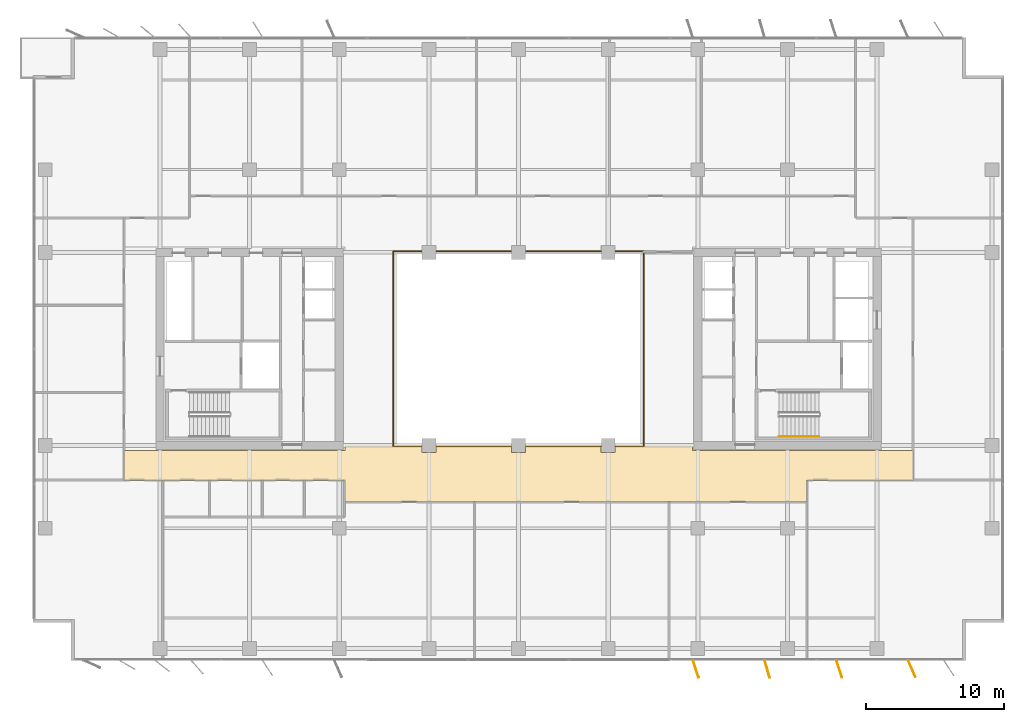
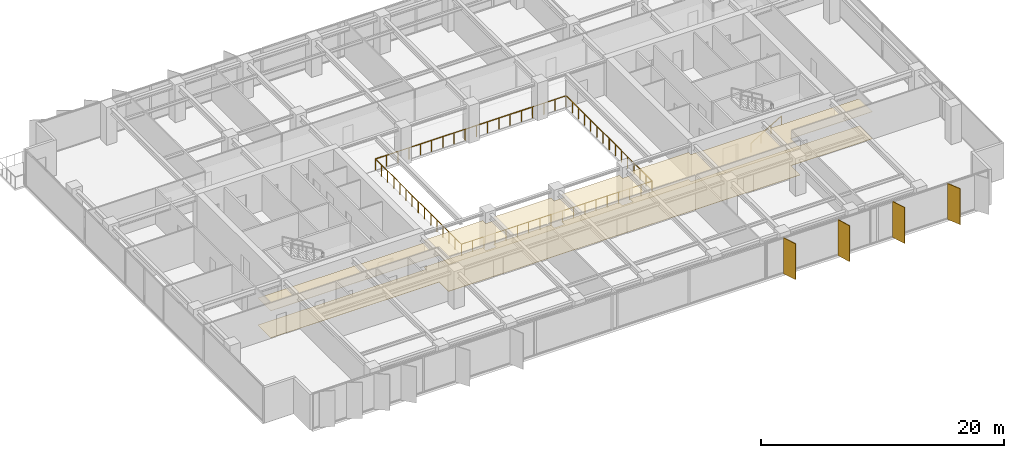
# One storey, part 20 of 22: 4 shading devices, 3 railings, 2 coverings.
"""IFC4 building model written with IfcOpenShell, lengths in metres."""

from ifc_helpers import new_model, si_unit, direction, frame, origin, origin_2d, place, context, subcontext, project, spatial, polyline, rectangle, circle, outline, extrude, material, layer, layer_set, type_object, element, save


model = new_model("IFC4")

# Units and contexts
model_context = context("Model", 3, precision=1e-05, world=origin(), true_north=direction((0.0, 1.0)))
body_context = subcontext(model_context, "Body", "Model", "MODEL_VIEW")
ifc_project = project(units=[si_unit("LENGTHUNIT", "METRE"), si_unit("AREAUNIT", "SQUARE_METRE"), si_unit("VOLUMEUNIT", "CUBIC_METRE"), si_unit("PLANEANGLEUNIT", "RADIAN"), si_unit("MASSUNIT", "GRAM", prefix="KILO")], contexts=[model_context])

# Site, building, storey
site_placement = place(None, origin())
site = spatial("IfcSite", under=ifc_project, at=site_placement, CompositionType="ELEMENT")
building_placement = place(site_placement, origin())
building = spatial("IfcBuilding", under=site, at=building_placement, Name="Putna Gate Headquarters", CompositionType="ELEMENT")
storey_placement = place(building_placement, frame((0.0, 0.0, 155.60009765625)))
storey = spatial("IfcBuildingStorey", under=building, at=storey_placement, Name="L38", CompositionType="ELEMENT", Elevation=155.60009765625)

# Coverings
ifc_material_1 = material(Name="Perforated mineral-fibre acoustic ceiling tile")
ifc_layer_1 = layer(ifc_material_1, 0.0400390625)
ifc_layer_set_1 = layer_set([ifc_layer_1], Name="Perforated mineral-fibre acoustic ceiling tile")
covering_type_1 = type_object("IfcCoveringType", Name="COV-ACOUSTIC-CEILING", PredefinedType="CEILING", material=ifc_layer_set_1)
covering_1_placement = place(storey_placement, frame((0.0, 0.0, 2.7099609375)))
element("IfcCovering", 1, at=covering_1_placement, inside=storey, type_object=covering_type_1, Name="L38 Acoustic Ceiling Covering 2", PredefinedType="CEILING", context=body_context, shape_type="SweptSolid", body=[
    extrude(outline(polyline([(26.39990234375, 16.47998046875), (26.39990234375, 14.93994140625), (59.867919921875, 14.93994140625), (59.867919921875, 16.47998046875), (67.6201171875, 16.47998046875), (67.6201171875, 18.6201171875), (51.60009765625, 18.6201171875), (51.60009765625, 18.97998046875), (46.008056640625, 18.97998046875), (46.008056640625, 18.491943359375), (44.991943359375, 18.491943359375), (44.991943359375, 18.97998046875), (39.508056640625, 18.97998046875), (39.508056640625, 18.491943359375), (38.491943359375, 18.491943359375), (38.491943359375, 18.97998046875), (33.008056640625, 18.97998046875), (33.008056640625, 18.491943359375), (31.991943359375, 18.491943359375), (31.991943359375, 18.97998046875), (26.39990234375, 18.97998046875), (26.39990234375, 18.6201171875), (10.3798828125, 18.6201171875), (10.3798828125, 16.47998046875), (26.39990234375, 16.47998046875)])), origin(), (0.0, 0.0, 1.0), 0.0400390625),
])
ifc_material_2 = material(Name="Calcium-sulphate raised access floor finish")
ifc_layer_2 = layer(ifc_material_2, 0.030029296875)
ifc_layer_set_2 = layer_set([ifc_layer_2], Name="Calcium-sulphate raised access floor finish")
covering_type_2 = type_object("IfcCoveringType", Name="COV-RAISED-FLOORING", PredefinedType="FLOORING", material=ifc_layer_set_2)
covering_2_placement = place(storey_placement, origin())
element("IfcCovering", 2, at=covering_2_placement, inside=storey, type_object=covering_type_2, Name="L38 Raised Access Floor Covering 2", PredefinedType="FLOORING", context=body_context, shape_type="SweptSolid", body=[
    extrude(outline(polyline([(26.39990234375, 16.47998046875), (26.39990234375, 14.93994140625), (59.867919921875, 14.93994140625), (59.867919921875, 16.47998046875), (67.6201171875, 16.47998046875), (67.6201171875, 18.6201171875), (51.60009765625, 18.6201171875), (51.60009765625, 18.97998046875), (46.008056640625, 18.97998046875), (46.008056640625, 18.491943359375), (44.991943359375, 18.491943359375), (44.991943359375, 18.97998046875), (39.508056640625, 18.97998046875), (39.508056640625, 18.491943359375), (38.491943359375, 18.491943359375), (38.491943359375, 18.97998046875), (33.008056640625, 18.97998046875), (33.008056640625, 18.491943359375), (31.991943359375, 18.491943359375), (31.991943359375, 18.97998046875), (26.39990234375, 18.97998046875), (26.39990234375, 18.6201171875), (10.3798828125, 18.6201171875), (10.3798828125, 16.47998046875), (26.39990234375, 16.47998046875)])), origin(), (0.0, 0.0, 1.0), 0.02978515625),
])

# Railings
ifc_material_3 = material(Name="Anodised bronze and laminated glass atrium balustrade", Category="glass")
railing_type_1 = type_object("IfcRailingType", Name="RAIL-ATRIUM-GUARD-1150", PredefinedType="GUARDRAIL", material=ifc_material_3)
railing_1_placement = place(storey_placement, frame((29.919921875, 25.969970703125, 0.0)))
element("IfcRailing", 3, at=railing_1_placement, inside=storey, type_object=railing_type_1, Name="L38 Central Atrium Glazed Balustrade South", PredefinedType="GUARDRAIL", context=body_context, shape_type="SweptSolid", body=[
    extrude(circle(Radius=0.02392578125, at=origin_2d()), frame((0.0, 0.0, 1.1259765625), z_axis=(0.0, -1.0, 0.0), x_axis=(1.0, 0.0, 0.0)), (0.0, 0.0, 1.0), 7.050048828125),
    extrude(circle(Radius=0.02392578125, at=origin_2d()), frame((0.0, -7.050048828125, 1.1259765625), z_axis=(1.0, 0.0, 0.0), x_axis=(0.0, 1.0, 0.0)), (0.0, 0.0, 1.0), 18.16015625),
    extrude(circle(Radius=0.02392578125, at=origin_2d()), frame((18.16015625, -7.050048828125, 1.1259765625), z_axis=(0.0, 1.0, 0.0), x_axis=(-1.0, 0.0, 0.0)), (0.0, 0.0, 1.0), 7.050048828125),
    extrude(circle(Radius=0.02099609375, at=origin_2d()), origin(), (0.0, 0.0, 1.0), 1.101806640625),
    extrude(circle(Radius=0.02099609375, at=origin_2d()), frame((0.0, -1.007080078125, 0.0)), (0.0, 0.0, 1.0), 1.101806640625),
    extrude(circle(Radius=0.02099609375, at=origin_2d()), frame((0.0, -2.014404296875, 0.0)), (0.0, 0.0, 1.0), 1.101806640625),
    extrude(circle(Radius=0.02099609375, at=origin_2d()), frame((0.0, -3.021484375, 0.0)), (0.0, 0.0, 1.0), 1.101806640625),
    extrude(circle(Radius=0.02099609375, at=origin_2d()), frame((0.0, -4.028564453125, 0.0)), (0.0, 0.0, 1.0), 1.101806640625),
    extrude(circle(Radius=0.02099609375, at=origin_2d()), frame((0.0, -5.03564453125, 0.0)), (0.0, 0.0, 1.0), 1.101806640625),
    extrude(circle(Radius=0.02099609375, at=origin_2d()), frame((0.0, -6.04296875, 0.0)), (0.0, 0.0, 1.0), 1.101806640625),
    extrude(circle(Radius=0.02099609375, at=origin_2d()), frame((0.0, -7.050048828125, 0.0)), (0.0, 0.0, 1.0), 1.101806640625),
    extrude(circle(Radius=0.02099609375, at=origin_2d()), frame((1.068359375, -7.050048828125, 0.0)), (0.0, 0.0, 1.0), 1.101806640625),
    extrude(circle(Radius=0.02099609375, at=origin_2d()), frame((2.136474609375, -7.050048828125, 0.0)), (0.0, 0.0, 1.0), 1.101806640625),
    extrude(circle(Radius=0.02099609375, at=origin_2d()), frame((3.204833984375, -7.050048828125, 0.0)), (0.0, 0.0, 1.0), 1.101806640625),
    extrude(circle(Radius=0.02099609375, at=origin_2d()), frame((4.27294921875, -7.050048828125, 0.0)), (0.0, 0.0, 1.0), 1.101806640625),
    extrude(circle(Radius=0.02099609375, at=origin_2d()), frame((5.34130859375, -7.050048828125, 0.0)), (0.0, 0.0, 1.0), 1.101806640625),
    extrude(circle(Radius=0.02099609375, at=origin_2d()), frame((6.409423828125, -7.050048828125, 0.0)), (0.0, 0.0, 1.0), 1.101806640625),
    extrude(circle(Radius=0.02099609375, at=origin_2d()), frame((7.477783203125, -7.050048828125, 0.0)), (0.0, 0.0, 1.0), 1.101806640625),
    extrude(circle(Radius=0.02099609375, at=origin_2d()), frame((8.5458984375, -7.050048828125, 0.0)), (0.0, 0.0, 1.0), 1.101806640625),
    extrude(circle(Radius=0.02099609375, at=origin_2d()), frame((9.6142578125, -7.050048828125, 0.0)), (0.0, 0.0, 1.0), 1.101806640625),
    extrude(circle(Radius=0.02099609375, at=origin_2d()), frame((10.682373046875, -7.050048828125, 0.0)), (0.0, 0.0, 1.0), 1.101806640625),
    extrude(circle(Radius=0.02099609375, at=origin_2d()), frame((11.750732421875, -7.050048828125, 0.0)), (0.0, 0.0, 1.0), 1.101806640625),
    extrude(circle(Radius=0.02099609375, at=origin_2d()), frame((12.81884765625, -7.050048828125, 0.0)), (0.0, 0.0, 1.0), 1.101806640625),
    extrude(circle(Radius=0.02099609375, at=origin_2d()), frame((13.88720703125, -7.050048828125, 0.0)), (0.0, 0.0, 1.0), 1.101806640625),
    extrude(circle(Radius=0.02099609375, at=origin_2d()), frame((14.955322265625, -7.050048828125, 0.0)), (0.0, 0.0, 1.0), 1.101806640625),
    extrude(circle(Radius=0.02099609375, at=origin_2d()), frame((16.023681640625, -7.050048828125, 0.0)), (0.0, 0.0, 1.0), 1.101806640625),
    extrude(circle(Radius=0.02099609375, at=origin_2d()), frame((17.091796875, -7.050048828125, 0.0)), (0.0, 0.0, 1.0), 1.101806640625),
    extrude(circle(Radius=0.02099609375, at=origin_2d()), frame((18.16015625, -7.050048828125, 0.0)), (0.0, 0.0, 1.0), 1.101806640625),
    extrude(circle(Radius=0.02099609375, at=origin_2d()), frame((18.16015625, -6.04296875, 0.0)), (0.0, 0.0, 1.0), 1.101806640625),
    extrude(circle(Radius=0.02099609375, at=origin_2d()), frame((18.16015625, -5.03564453125, 0.0)), (0.0, 0.0, 1.0), 1.101806640625),
    extrude(circle(Radius=0.02099609375, at=origin_2d()), frame((18.16015625, -4.028564453125, 0.0)), (0.0, 0.0, 1.0), 1.101806640625),
    extrude(circle(Radius=0.02099609375, at=origin_2d()), frame((18.16015625, -3.021484375, 0.0)), (0.0, 0.0, 1.0), 1.101806640625),
    extrude(circle(Radius=0.02099609375, at=origin_2d()), frame((18.16015625, -2.014404296875, 0.0)), (0.0, 0.0, 1.0), 1.101806640625),
    extrude(circle(Radius=0.02099609375, at=origin_2d()), frame((18.16015625, -1.007080078125, 0.0)), (0.0, 0.0, 1.0), 1.101806640625),
    extrude(circle(Radius=0.02099609375, at=origin_2d()), frame((18.16015625, 0.0, 0.0)), (0.0, 0.0, 1.0), 1.101806640625),
])
railing_2_placement = place(storey_placement, frame((48.080078125, 26.030029296875, 0.0)))
element("IfcRailing", 4, at=railing_2_placement, inside=storey, type_object=railing_type_1, Name="L38 Central Atrium Glazed Balustrade North", PredefinedType="GUARDRAIL", context=body_context, shape_type="SweptSolid", body=[
    extrude(circle(Radius=0.02392578125, at=origin_2d()), frame((0.0, 0.0, 1.1259765625), z_axis=(0.0, 1.0, 0.0), x_axis=(-1.0, 0.0, 0.0)), (0.0, 0.0, 1.0), 7.050048828125),
    extrude(circle(Radius=0.02392578125, at=origin_2d()), frame((0.0, 7.050048828125, 1.1259765625), z_axis=(-1.0, 0.0, 0.0), x_axis=(0.0, -1.0, 0.0)), (0.0, 0.0, 1.0), 18.16015625),
    extrude(circle(Radius=0.02392578125, at=origin_2d()), frame((-18.16015625, 7.050048828125, 1.1259765625), z_axis=(0.0, -1.0, 0.0), x_axis=(1.0, 0.0, 0.0)), (0.0, 0.0, 1.0), 7.050048828125),
    extrude(circle(Radius=0.02099609375, at=origin_2d()), origin(), (0.0, 0.0, 1.0), 1.101806640625),
    extrude(circle(Radius=0.02099609375, at=origin_2d()), frame((0.0, 1.007080078125, 0.0)), (0.0, 0.0, 1.0), 1.101806640625),
    extrude(circle(Radius=0.02099609375, at=origin_2d()), frame((0.0, 2.014404296875, 0.0)), (0.0, 0.0, 1.0), 1.101806640625),
    extrude(circle(Radius=0.02099609375, at=origin_2d()), frame((0.0, 3.021484375, 0.0)), (0.0, 0.0, 1.0), 1.101806640625),
    extrude(circle(Radius=0.02099609375, at=origin_2d()), frame((0.0, 4.028564453125, 0.0)), (0.0, 0.0, 1.0), 1.101806640625),
    extrude(circle(Radius=0.02099609375, at=origin_2d()), frame((0.0, 5.03564453125, 0.0)), (0.0, 0.0, 1.0), 1.101806640625),
    extrude(circle(Radius=0.02099609375, at=origin_2d()), frame((0.0, 6.04296875, 0.0)), (0.0, 0.0, 1.0), 1.101806640625),
    extrude(circle(Radius=0.02099609375, at=origin_2d()), frame((0.0, 7.050048828125, 0.0)), (0.0, 0.0, 1.0), 1.101806640625),
    extrude(circle(Radius=0.02099609375, at=origin_2d()), frame((-1.068359375, 7.050048828125, 0.0)), (0.0, 0.0, 1.0), 1.101806640625),
    extrude(circle(Radius=0.02099609375, at=origin_2d()), frame((-2.136474609375, 7.050048828125, 0.0)), (0.0, 0.0, 1.0), 1.101806640625),
    extrude(circle(Radius=0.02099609375, at=origin_2d()), frame((-3.204833984375, 7.050048828125, 0.0)), (0.0, 0.0, 1.0), 1.101806640625),
    extrude(circle(Radius=0.02099609375, at=origin_2d()), frame((-4.27294921875, 7.050048828125, 0.0)), (0.0, 0.0, 1.0), 1.101806640625),
    extrude(circle(Radius=0.02099609375, at=origin_2d()), frame((-5.34130859375, 7.050048828125, 0.0)), (0.0, 0.0, 1.0), 1.101806640625),
    extrude(circle(Radius=0.02099609375, at=origin_2d()), frame((-6.409423828125, 7.050048828125, 0.0)), (0.0, 0.0, 1.0), 1.101806640625),
    extrude(circle(Radius=0.02099609375, at=origin_2d()), frame((-7.477783203125, 7.050048828125, 0.0)), (0.0, 0.0, 1.0), 1.101806640625),
    extrude(circle(Radius=0.02099609375, at=origin_2d()), frame((-8.5458984375, 7.050048828125, 0.0)), (0.0, 0.0, 1.0), 1.101806640625),
    extrude(circle(Radius=0.02099609375, at=origin_2d()), frame((-9.6142578125, 7.050048828125, 0.0)), (0.0, 0.0, 1.0), 1.101806640625),
    extrude(circle(Radius=0.02099609375, at=origin_2d()), frame((-10.682373046875, 7.050048828125, 0.0)), (0.0, 0.0, 1.0), 1.101806640625),
    extrude(circle(Radius=0.02099609375, at=origin_2d()), frame((-11.750732421875, 7.050048828125, 0.0)), (0.0, 0.0, 1.0), 1.101806640625),
    extrude(circle(Radius=0.02099609375, at=origin_2d()), frame((-12.81884765625, 7.050048828125, 0.0)), (0.0, 0.0, 1.0), 1.101806640625),
    extrude(circle(Radius=0.02099609375, at=origin_2d()), frame((-13.88720703125, 7.050048828125, 0.0)), (0.0, 0.0, 1.0), 1.101806640625),
    extrude(circle(Radius=0.02099609375, at=origin_2d()), frame((-14.955322265625, 7.050048828125, 0.0)), (0.0, 0.0, 1.0), 1.101806640625),
    extrude(circle(Radius=0.02099609375, at=origin_2d()), frame((-16.023681640625, 7.050048828125, 0.0)), (0.0, 0.0, 1.0), 1.101806640625),
    extrude(circle(Radius=0.02099609375, at=origin_2d()), frame((-17.091796875, 7.050048828125, 0.0)), (0.0, 0.0, 1.0), 1.101806640625),
    extrude(circle(Radius=0.02099609375, at=origin_2d()), frame((-18.16015625, 7.050048828125, 0.0)), (0.0, 0.0, 1.0), 1.101806640625),
    extrude(circle(Radius=0.02099609375, at=origin_2d()), frame((-18.16015625, 6.04296875, 0.0)), (0.0, 0.0, 1.0), 1.101806640625),
    extrude(circle(Radius=0.02099609375, at=origin_2d()), frame((-18.16015625, 5.03564453125, 0.0)), (0.0, 0.0, 1.0), 1.101806640625),
    extrude(circle(Radius=0.02099609375, at=origin_2d()), frame((-18.16015625, 4.028564453125, 0.0)), (0.0, 0.0, 1.0), 1.101806640625),
    extrude(circle(Radius=0.02099609375, at=origin_2d()), frame((-18.16015625, 3.021484375, 0.0)), (0.0, 0.0, 1.0), 1.101806640625),
    extrude(circle(Radius=0.02099609375, at=origin_2d()), frame((-18.16015625, 2.014404296875, 0.0)), (0.0, 0.0, 1.0), 1.101806640625),
    extrude(circle(Radius=0.02099609375, at=origin_2d()), frame((-18.16015625, 1.007080078125, 0.0)), (0.0, 0.0, 1.0), 1.101806640625),
    extrude(circle(Radius=0.02099609375, at=origin_2d()), frame((-18.16015625, 0.0, 0.0)), (0.0, 0.0, 1.0), 1.101806640625),
])
ifc_material_4 = material(Name="Brushed stainless steel handrail", Category="steel")
railing_type_2 = type_object("IfcRailingType", Name="RAIL-STAIR-HAND-900", PredefinedType="HANDRAIL", material=ifc_material_4)
railing_3_placement = place(storey_placement, frame((57.89990234375, 19.64990234375, 0.172607421875)))
element("IfcRailing", 5, at=railing_3_placement, inside=storey, type_object=railing_type_2, Name="L38 ST2 stair handrail 1", PredefinedType="HANDRAIL", context=body_context, shape_type="SweptSolid", body=[
    extrude(circle(Radius=0.02392578125, at=origin_2d()), frame((0.0, 0.0, 0.8759765625), z_axis=(0.859160404282, 0.0, 0.51170636083), x_axis=(0.0, 1.0, 0.0)), (0.0, 0.0, 1.0), 3.37548828125),
    extrude(circle(Radius=0.02099609375, at=origin_2d()), origin(), (0.0, 0.0, 1.0), 0.851806640625),
    extrude(circle(Radius=0.02099609375, at=origin_2d()), frame((0.966796875, 0.0, 0.57568359375)), (0.0, 0.0, 1.0), 0.851806640625),
    extrude(circle(Radius=0.02099609375, at=origin_2d()), frame((1.933349609375, 0.0, 1.151611328125)), (0.0, 0.0, 1.0), 0.851806640625),
    extrude(circle(Radius=0.02099609375, at=origin_2d()), frame((2.900146484375, 0.0, 1.727294921875)), (0.0, 0.0, 1.0), 0.851806640625),
])

# Shading devices
ifc_material_5 = material(Name="Anodised architectural bronze aluminium fin", Category="aluminium")
ifc_layer_3 = layer(ifc_material_5, 0.06494140625)
ifc_layer_set_3 = layer_set([ifc_layer_3], Name="Anodised architectural bronze aluminium fin")
shading_device_type = type_object("IfcShadingDeviceType", Name="SHADE-BRONZE-FIN-1320", PredefinedType="USERDEFINED", material=ifc_layer_set_3)
for number, where, z_axis, x_axis, name in (
    (6, (51.853759765625, 2.797119140625, -0.02001953125), (0.0, 0.0, 1.0), (0.308684994204, -0.951164325631, 0.0), "L38 Bronze Vertical Shading Fin S7"),
    (7, (57.031982421875, 2.79052734375, -0.02001953125), (0.0, 0.0, 1.0), (0.275637355817, -0.961261695938, 0.0), "L38 Bronze Vertical Shading Fin S8"),
    (8, (62.253662109375, 2.797119140625, -0.02001953125), (0.0, 0.0, 1.0), (0.308684994204, -0.951164325631, 0.0), "L38 Bronze Vertical Shading Fin S9"),
    (9, (67.514404296875, 2.8203125, -0.02001953125), (0.0, 0.0, 1.0), (0.400668879095, -0.916222925562, 0.0), "L38 Bronze Vertical Shading Fin S10"),
):
    element("IfcShadingDevice", number, at=place(storey_placement, frame(where, z_axis=z_axis, x_axis=x_axis)), inside=storey, type_object=shading_device_type, Name=name, ObjectType="FIN", PredefinedType="USERDEFINED", context=body_context, shape_type="SweptSolid", body=[
        extrude(rectangle(XDim=1.320068359375, YDim=0.06494140625, at=origin_2d()), origin(), (0.0, 0.0, 1.0), 3.612060546875),
    ])

save(model, "model.ifc")
